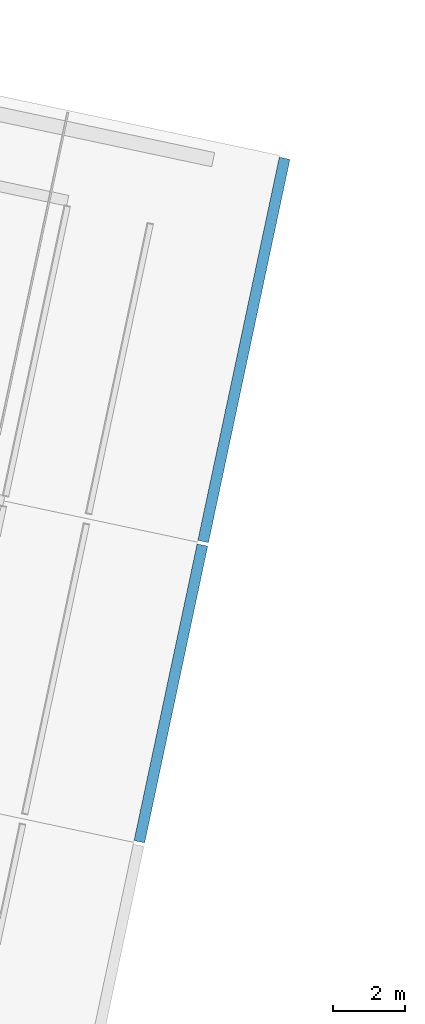
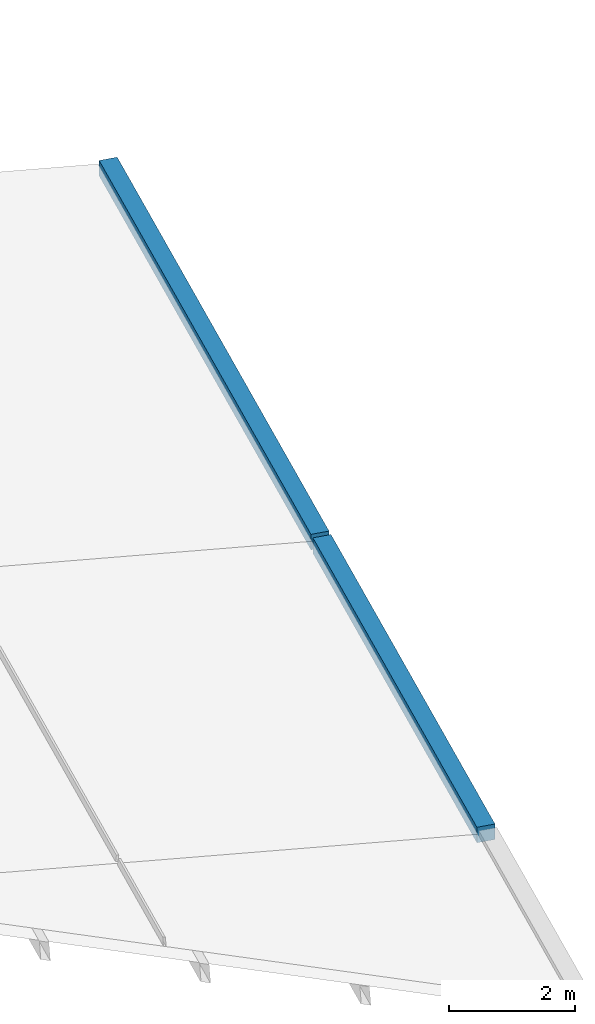
# One storey, part 142 of 196: 2 discrete accessories.
"""IFC4 building model written with IfcOpenShell, lengths in metres."""

from ifc_helpers import new_model, si_unit, direction, frame, origin, origin_2d, place, context, subcontext, project, spatial, rectangle, extrude, material, type_object, element, save


model = new_model("IFC4")

# Units and contexts
model_context = context("Model", 3, precision=1e-05, world=origin(), true_north=direction((0.0, 1.0)))
body_context = subcontext(model_context, "Body", "Model", "MODEL_VIEW")
ifc_project = project(units=[si_unit("LENGTHUNIT", "METRE"), si_unit("AREAUNIT", "SQUARE_METRE"), si_unit("VOLUMEUNIT", "CUBIC_METRE"), si_unit("PLANEANGLEUNIT", "RADIAN"), si_unit("MASSUNIT", "GRAM", prefix="KILO")], contexts=[model_context])

# Site, building, storey
site_placement = place(None, origin())
site = spatial("IfcSite", under=ifc_project, at=site_placement, CompositionType="ELEMENT")
building_placement = place(site_placement, origin())
building = spatial("IfcBuilding", under=site, at=building_placement, Name="Okhra Congress Centre", CompositionType="ELEMENT")
storey_placement = place(building_placement, frame((0.0, 0.0, 12.0)))
storey = spatial("IfcBuildingStorey", under=building, at=storey_placement, Name="L02", CompositionType="ELEMENT", Elevation=12.0)

# Discrete accessories
ifc_material = material(Name="Stainless steel box gutter with self-regulating heating cable", Category="steel")
discrete_accessory_type = type_object("IfcDiscreteAccessoryType", Name="Heated eaves gutter 300x300", PredefinedType="USERDEFINED", material=ifc_material)
discrete_accessory_1_placement = place(storey_placement, frame((262.23193359375, 112.850341796875, -0.09423828125), z_axis=(0.0, 0.0, 1.0), x_axis=(0.978147600734, -0.207911690818, 0.0)))
element("IfcDiscreteAccessory", 1, at=discrete_accessory_1_placement, inside=storey, type_object=discrete_accessory_type, Name="Heated eaves gutter", ObjectType="HEATED GUTTER", PredefinedType="USERDEFINED", context=body_context, shape_type="SweptSolid", body=[
    extrude(rectangle(XDim=0.300048828125, YDim=8.39990234375, at=origin_2d()), origin(), (0.0, 0.0, 1.0), 0.300048828125),
])
discrete_accessory_2_placement = place(storey_placement, frame((264.253662109375, 122.36279296875, -0.09423828125), z_axis=(0.0, 0.0, 1.0), x_axis=(0.978147600734, -0.207911690818, 0.0)))
element("IfcDiscreteAccessory", 2, at=discrete_accessory_2_placement, inside=storey, type_object=discrete_accessory_type, Name="Heated eaves gutter", ObjectType="HEATED GUTTER", PredefinedType="USERDEFINED", context=body_context, shape_type="SweptSolid", body=[
    extrude(rectangle(XDim=0.300048828125, YDim=10.85009765625, at=origin_2d()), origin(), (0.0, 0.0, 1.0), 0.300048828125),
])

save(model, "model.ifc")
